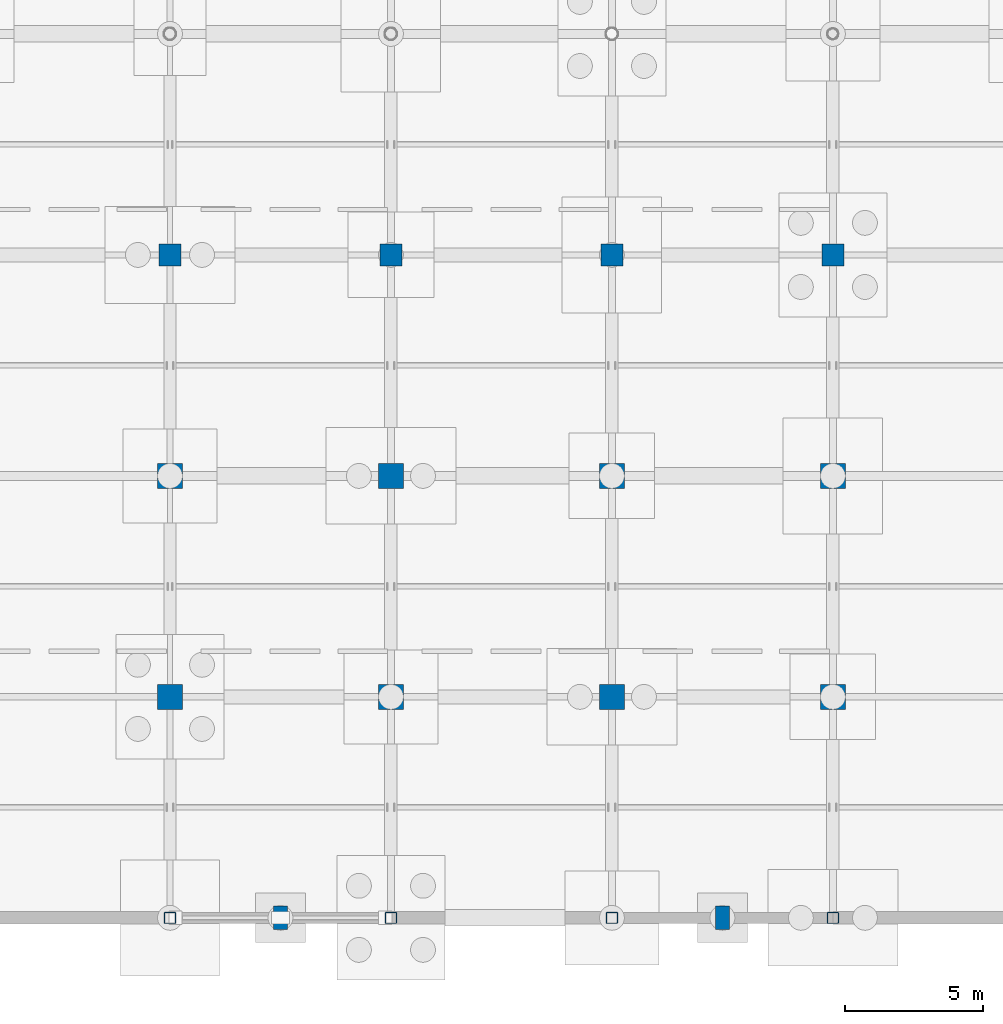
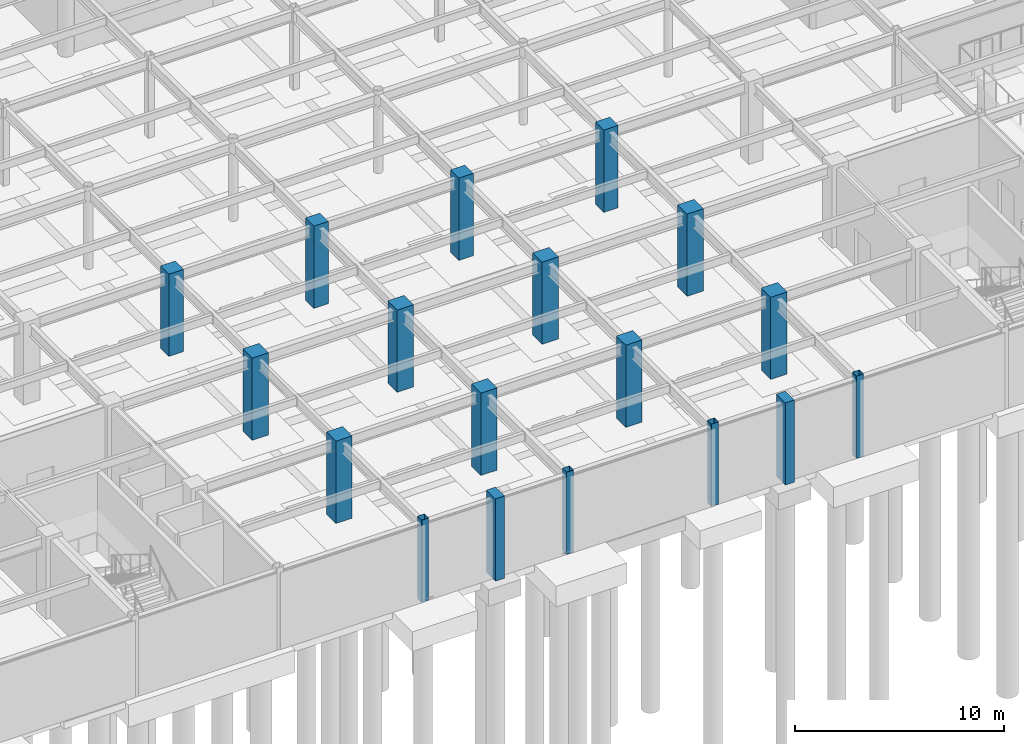
# One storey, part 20 of 105: 18 columns.
"""IFC4 building model written with IfcOpenShell, lengths in metres."""

from ifc_helpers import new_model, si_unit, direction, frame, origin, origin_2d, place, context, subcontext, project, spatial, rectangle, hollow_rectangle, extrude, material, material_profile, profile_set, type_object, element, save


model = new_model("IFC4")

# Units and contexts
model_context = context("Model", 3, precision=1e-05, world=origin(), true_north=direction((0.0, 1.0)))
body_context = subcontext(model_context, "Body", "Model", "MODEL_VIEW")
ifc_project = project(units=[si_unit("LENGTHUNIT", "METRE"), si_unit("AREAUNIT", "SQUARE_METRE"), si_unit("VOLUMEUNIT", "CUBIC_METRE"), si_unit("PLANEANGLEUNIT", "RADIAN"), si_unit("MASSUNIT", "GRAM", prefix="KILO")], contexts=[model_context])

# Site, building, storey
site_placement = place(None, origin())
site = spatial("IfcSite", under=ifc_project, at=site_placement, CompositionType="ELEMENT")
building_placement = place(site_placement, origin())
building = spatial("IfcBuilding", under=site, at=building_placement, Name="Solmirada Galleria", CompositionType="ELEMENT")
storey_placement = place(building_placement, frame((0.0, 0.0, -4.800048828125)))
storey = spatial("IfcBuildingStorey", under=building, at=storey_placement, Name="B1", CompositionType="ELEMENT", Elevation=-4.800048828125)

# Columns
ifc_material_1 = material(Name="Steel S355 / ASTM A500 Grade C", Category="steel")
ifc_material_profile_1 = material_profile(ifc_material_1, hollow_rectangle(XDim=0.406005859375, YDim=0.406005859375, WallThickness=0.0146484375, InnerFilletRadius=0.0146484375, OuterFilletRadius=0.029296875, at=origin_2d()), Name="HSS16X16X5/8")
ifc_profile_set_1 = profile_set([ifc_material_profile_1], Name="Steel S355 / ASTM A500 Grade C")
column_type_1 = type_object("IfcColumnType", Name="COL-HSS16", PredefinedType="COLUMN", material=ifc_profile_set_1)
for number, where, z_axis, x_axis, name in (
    (1, (104.0, 0.0, 0.0), (0.0, 0.0, 1.0), (1.0, 0.0, 0.0), "Structural column B1-0692"),
    (2, (112.0, 0.0, 0.0), (0.0, 0.0, 1.0), (1.0, 0.0, 0.0), "Structural column B1-0803"),
    (3, (120.0, 0.0, 0.0), (0.0, 0.0, 1.0), (1.0, 0.0, 0.0), "Structural column B1-0920"),
    (4, (128.0, 0.0, 0.0), (0.0, 0.0, 1.0), (1.0, 0.0, 0.0), "Structural column B1-1003"),
):
    element("IfcColumn", number, at=place(storey_placement, frame(where, z_axis=z_axis, x_axis=x_axis)), inside=storey, type_object=column_type_1, Name=name, PredefinedType="COLUMN", context=body_context, shape_type="SweptSolid", body=[
        extrude(hollow_rectangle(XDim=0.406005859375, YDim=0.406005859375, WallThickness=0.0146484375, InnerFilletRadius=0.0146484375, OuterFilletRadius=0.029296875, at=origin_2d()), origin(), (0.0, 0.0, 1.0), 4.800048828125),
    ])
ifc_material_2 = material(Name="Concrete C40/50", Category="concrete")
ifc_material_profile_2 = material_profile(ifc_material_2, rectangle(XDim=0.800048828125, YDim=0.800048828125, at=origin_2d()), Name="RC800X800")
ifc_profile_set_2 = profile_set([ifc_material_profile_2], Name="Concrete C40/50")
column_type_2 = type_object("IfcColumnType", Name="COL-RC800", PredefinedType="COLUMN", material=ifc_profile_set_2)
for number, where, z_axis, x_axis, name in (
    (5, (104.0, 24.0, 0.0), (0.0, 0.0, 1.0), (1.0, 0.0, 0.0), "Structural column B1-0716"),
    (6, (112.0, 24.0, 0.0), (0.0, 0.0, 1.0), (1.0, 0.0, 0.0), "Structural column B1-0827"),
    (7, (120.0, 24.0, 0.0), (0.0, 0.0, 1.0), (1.0, 0.0, 0.0), "Structural column B1-0944"),
    (8, (128.0, 24.0, 0.0), (0.0, 0.0, 1.0), (1.0, 0.0, 0.0), "Structural column B1-1027"),
):
    element("IfcColumn", number, at=place(storey_placement, frame(where, z_axis=z_axis, x_axis=x_axis)), inside=storey, type_object=column_type_2, Name=name, PredefinedType="COLUMN", context=body_context, shape_type="SweptSolid", body=[
        extrude(rectangle(XDim=0.800048828125, YDim=0.800048828125, at=origin_2d()), origin(), (0.0, 0.0, 1.0), 4.800048828125),
    ])
ifc_material_profile_3 = material_profile(ifc_material_2, rectangle(XDim=0.89990234375, YDim=0.89990234375, at=origin_2d()), Name="RC900X900")
ifc_profile_set_3 = profile_set([ifc_material_profile_3], Name="Concrete C40/50")
column_type_3 = type_object("IfcColumnType", Name="COL-RC900", PredefinedType="COLUMN", material=ifc_profile_set_3)
for number, where, z_axis, x_axis, name in (
    (9, (104.0, 8.0, 0.0), (0.0, 0.0, 1.0), (1.0, 0.0, 0.0), "Structural column B1-0700"),
    (10, (104.0, 16.0, 0.0), (0.0, 0.0, 1.0), (1.0, 0.0, 0.0), "Structural column B1-0708"),
    (11, (112.0, 8.0, 0.0), (0.0, 0.0, 1.0), (1.0, 0.0, 0.0), "Structural column B1-0811"),
    (12, (112.0, 16.0, 0.0), (0.0, 0.0, 1.0), (1.0, 0.0, 0.0), "Structural column B1-0819"),
    (13, (120.0, 8.0, 0.0), (0.0, 0.0, 1.0), (1.0, 0.0, 0.0), "Structural column B1-0928"),
    (14, (120.0, 16.0, 0.0), (0.0, 0.0, 1.0), (1.0, 0.0, 0.0), "Structural column B1-0936"),
    (15, (128.0, 8.0, 0.0), (0.0, 0.0, 1.0), (1.0, 0.0, 0.0), "Structural column B1-1011"),
    (16, (128.0, 16.0, 0.0), (0.0, 0.0, 1.0), (1.0, 0.0, 0.0), "Structural column B1-1019"),
):
    element("IfcColumn", number, at=place(storey_placement, frame(where, z_axis=z_axis, x_axis=x_axis)), inside=storey, type_object=column_type_3, Name=name, PredefinedType="COLUMN", context=body_context, shape_type="SweptSolid", body=[
        extrude(rectangle(XDim=0.89990234375, YDim=0.89990234375, at=origin_2d()), origin(), (0.0, 0.0, 1.0), 4.800048828125),
    ])
ifc_material_3 = material(Name="Precast concrete C40/50", Category="concrete")
ifc_material_profile_4 = material_profile(ifc_material_3, rectangle(XDim=0.5, YDim=0.85009765625, at=origin_2d()), Name="RC850X500")
ifc_profile_set_4 = profile_set([ifc_material_profile_4], Name="Precast concrete C40/50")
column_type_4 = type_object("IfcColumnType", Name="PIL-RC850", PredefinedType="PILASTER", material=ifc_profile_set_4)
for number, where, z_axis, x_axis, name in (
    (17, (108.0, 0.0, 0.0), (0.0, 0.0, 1.0), (1.0, 0.0, 0.0), "Avenue pilaster B1-022"),
    (18, (124.0, 0.0, 0.0), (0.0, 0.0, 1.0), (1.0, 0.0, 0.0), "Avenue pilaster B1-026"),
):
    element("IfcColumn", number, at=place(storey_placement, frame(where, z_axis=z_axis, x_axis=x_axis)), inside=storey, type_object=column_type_4, Name=name, PredefinedType="PILASTER", context=body_context, shape_type="SweptSolid", body=[
        extrude(rectangle(XDim=0.5, YDim=0.85009765625, at=origin_2d()), origin(), (0.0, 0.0, 1.0), 4.800048828125),
    ])

save(model, "model.ifc")
